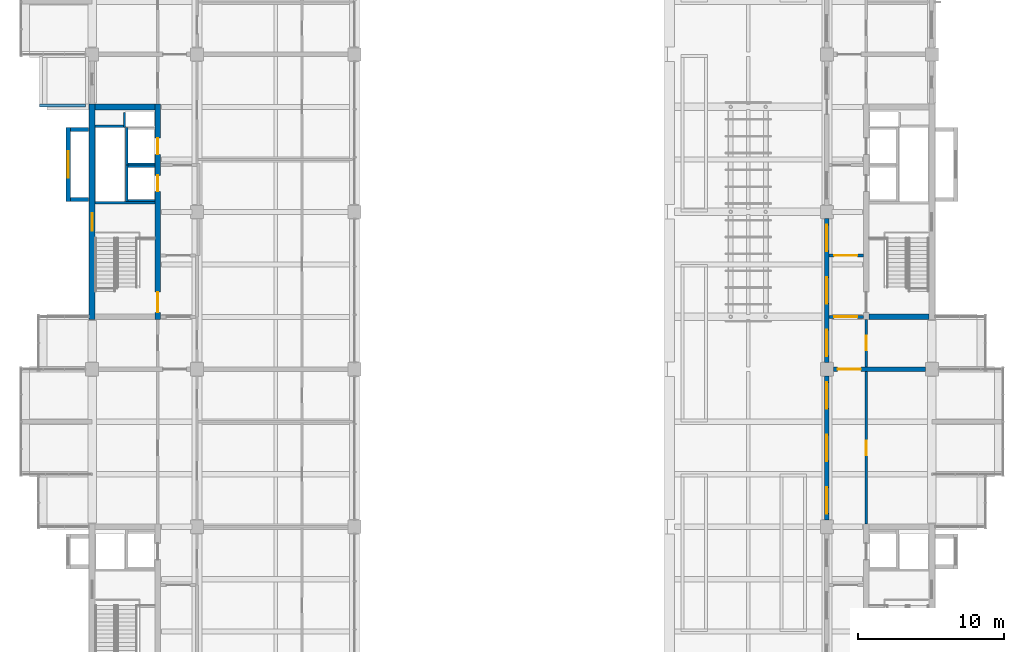
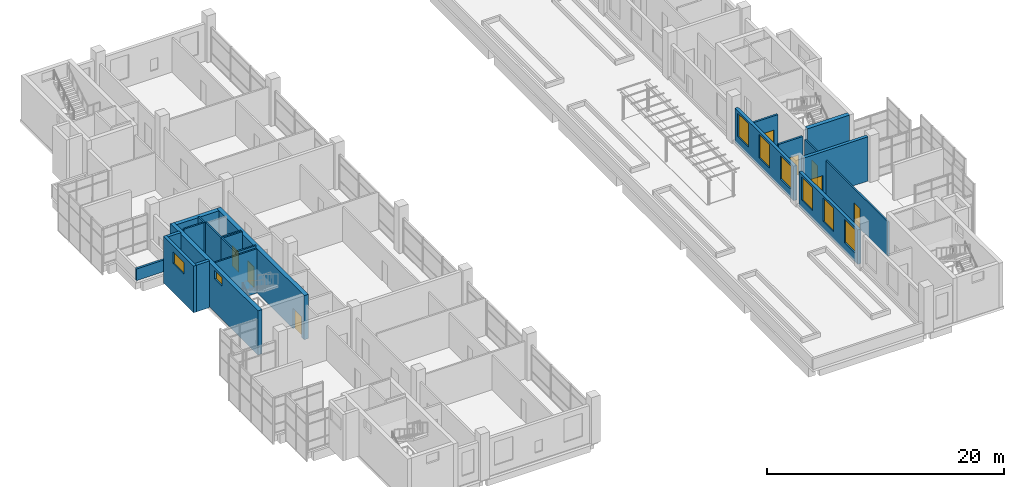
# One storey, part 24 of 32: 23 walls, 8 doors, 8 windows, 16 openings.
"""IFC4 building model written with IfcOpenShell, lengths in metres."""

import ifcopenshell
import ifcopenshell.guid

model = None  # the IFC model being written
_history = None  # IfcOwnerHistory: only IFC2X3 demands one
_inside = {}  # id of a spatial element -> (the spatial element, [elements in it])
_under = {}  # id of a project, library or spatial element -> (it, [spatial elements below it])
_declared = {}  # id of a project -> (the project, [libraries it declares])
_typed = {}  # id of a type object -> (the type object, [elements of that type])
_made_of = {}  # id of a material, layer set ... -> (it, [elements and type objects made of it])


def new_model(schema):
    """Start an empty IFC model of exactly this schema.

    Asked for "IFC4X3", IfcOpenShell would pick the latest addendum, in which some entities
    have other attributes; the version numbers below select the first issue.
    IFC2X3 requires an IfcOwnerHistory on every rooted entity: one is made here for all.
    """
    global model, _history
    if schema == "IFC4X3":
        model = ifcopenshell.file(schema_version=(4, 3, 0, 0))
    else:
        model = ifcopenshell.file(schema=schema)
    _inside.clear()
    _under.clear()
    _declared.clear()
    _typed.clear()
    _made_of.clear()
    _history = None
    if model.schema == "IFC2X3":
        org = make("IfcOrganization", Name="unknown")
        user = make(
            "IfcPersonAndOrganization",
            ThePerson=make("IfcPerson", FamilyName="unknown"),
            TheOrganization=org,
        )
        app = make(
            "IfcApplication",
            ApplicationDeveloper=org,
            Version="unknown",
            ApplicationFullName="unknown",
            ApplicationIdentifier="unknown",
        )
        _history = make(
            "IfcOwnerHistory",
            OwningUser=user,
            OwningApplication=app,
            ChangeAction="ADDED",
            CreationDate=0,
        )
    return model


def make(cls, **values):
    """One entity of the class cls with the attributes given. An attribute that is None is left unset."""
    return model.create_entity(
        cls, **{name: value for name, value in values.items() if value is not None}
    )


def rooted(cls, **values):
    """An entity with a GlobalId (a new one), such as an element, a storey or a relation."""
    return make(cls, GlobalId=ifcopenshell.guid.new(), OwnerHistory=_history, **values)


def si_unit(unit_type, name, prefix=None):
    """IfcSIUnit, for example si_unit("LENGTHUNIT", "METRE", prefix="MILLI")."""
    return make("IfcSIUnit", UnitType=unit_type, Prefix=prefix, Name=name)


def assignment(units):
    """IfcUnitAssignment: the units of a project."""
    return None if units is None else make("IfcUnitAssignment", Units=units)


def point(xyz):
    """IfcCartesianPoint."""
    return None if xyz is None else make("IfcCartesianPoint", Coordinates=xyz)


def direction(xyz):
    """IfcDirection."""
    return None if xyz is None else make("IfcDirection", DirectionRatios=xyz)


def frame(location, z_axis=None, x_axis=None):
    """IfcAxis2Placement3D, a coordinate frame: its origin and axes. An axis left out is left unset."""
    return make(
        "IfcAxis2Placement3D",
        Location=point(location),
        Axis=direction(z_axis),
        RefDirection=direction(x_axis),
    )


def frame_2d(location, x_axis=None):
    """IfcAxis2Placement2D, a coordinate frame in the plane: its origin and x axis."""
    return make(
        "IfcAxis2Placement2D", Location=point(location), RefDirection=direction(x_axis)
    )


def origin():
    """The frame at (0, 0, 0) with its axes left unset."""
    return frame((0.0, 0.0, 0.0))


def place(relative_to, where):
    """IfcLocalPlacement: puts the frame where relative to a parent placement (None: the world)."""
    return make(
        "IfcLocalPlacement", PlacementRelTo=relative_to, RelativePlacement=where
    )


def context(
    kind, dimensions, precision=None, world=None, true_north=None, identifier=None
):
    """IfcGeometricRepresentationContext, for example the 3D "Model" context."""
    return make(
        "IfcGeometricRepresentationContext",
        ContextIdentifier=identifier,
        ContextType=kind,
        CoordinateSpaceDimension=dimensions,
        Precision=precision,
        WorldCoordinateSystem=world,
        TrueNorth=true_north,
    )


def subcontext(parent, identifier, kind, view, scale=None):
    """IfcGeometricRepresentationSubContext, for example "Body" below "Model"."""
    return make(
        "IfcGeometricRepresentationSubContext",
        ContextIdentifier=identifier,
        ContextType=kind,
        ParentContext=parent,
        TargetScale=scale,
        TargetView=view,
    )


def project(units=None, contexts=None):
    """IfcProject with its units and contexts."""
    return rooted(
        "IfcProject",
        Name="project",
        RepresentationContexts=contexts,
        UnitsInContext=assignment(units),
    )


def spatial(cls, under=None, at=None, **own):
    """A site, building, storey or space (cls), placed at a placement, below another one or the project."""
    s = rooted(cls, ObjectPlacement=at, **own)
    if under is not None:
        _under.setdefault(under.id(), (under, []))[1].append(s)
    return s


def profile(cls, at=None, kind="AREA", **sizes):
    """A parametric profile (cls). Its sizes go by their IFC names, for example OverallWidth=200.0."""
    return make(cls, ProfileType=kind, Position=at, **sizes)


def rectangle(**sizes):
    """IfcRectangleProfileDef."""
    return profile("IfcRectangleProfileDef", **sizes)


def extrude(swept, where, along, depth):
    """IfcExtrudedAreaSolid: the profile swept, set in the frame where, extruded along a direction by depth."""
    return make(
        "IfcExtrudedAreaSolid",
        SweptArea=swept,
        Position=where,
        ExtrudedDirection=direction(along),
        Depth=depth,
    )


def shape(context_of_items, identifier, shape_type, items):
    """IfcShapeRepresentation: the items that make up one representation, for example the "Body"."""
    return make(
        "IfcShapeRepresentation",
        ContextOfItems=context_of_items,
        RepresentationIdentifier=identifier,
        RepresentationType=shape_type,
        Items=items,
    )


def material(Name=None, Category=None):
    """IfcMaterial."""
    return make("IfcMaterial", Name=Name, Category=Category)


def layer(
    of_material, thickness, ventilated=None, Name=None, Category=None, Priority=None
):
    """IfcMaterialLayer: one layer of a wall or slab, of a material (None: an air gap)."""
    return make(
        "IfcMaterialLayer",
        Material=of_material,
        LayerThickness=thickness,
        IsVentilated=ventilated,
        Name=Name,
        Category=Category,
        Priority=Priority,
    )


def layer_set(layers, Name=None):
    """IfcMaterialLayerSet."""
    return make("IfcMaterialLayerSet", MaterialLayers=layers, LayerSetName=Name)


def made_of(thing, what):
    """Note that an element or type object is made of a material, layer set ...; save() writes the relation."""
    if what is not None:
        _made_of.setdefault(what.id(), (what, []))[1].append(thing)
    return thing


def type_object(cls, material=None, **own):
    """A type object (cls), such as IfcWallType, which elements share."""
    return made_of(rooted(cls, **own), material)


def element(
    cls,
    number,
    at=None,
    inside=None,
    cuts=None,
    type_object=None,
    material=None,
    context=None,
    identifier="Body",
    shape_type=None,
    held_by="IfcProductDefinitionShape",
    body=None,
    shapes=None,
    **own,
):
    """One element of the class cls, such as IfcWall. Its Tag is "e" and its number.

    at: its placement. inside: the storey or other place that contains it. cuts: it is an
    opening in that element (IfcRelVoidsElement). A single representation is given by context,
    identifier, shape_type and body (its items); several are given by shapes. held_by: the class
    of the entity that holds the representations. save() writes the other relations.
    """
    e = rooted(cls, Tag="e%d" % number, ObjectPlacement=at, **own)
    if body is not None:
        shapes = [shape(context, identifier, shape_type, body)]
    if shapes is not None:
        e.Representation = make(held_by, Representations=shapes)
    if inside is not None:
        _inside.setdefault(inside.id(), (inside, []))[1].append(e)
    if cuts is not None:
        rooted(
            "IfcRelVoidsElement", RelatingBuildingElement=cuts, RelatedOpeningElement=e
        )
    if type_object is not None:
        _typed.setdefault(type_object.id(), (type_object, []))[1].append(e)
    return made_of(e, material)


def fill(opening, filler):
    """IfcRelFillsElement: the door or window that sits in an opening."""
    return rooted(
        "IfcRelFillsElement",
        RelatingOpeningElement=opening,
        RelatedBuildingElement=filler,
    )


def aggregate(whole, parts):
    """IfcRelAggregates: a whole, such as a stair, and the parts it consists of."""
    return rooted("IfcRelAggregates", RelatingObject=whole, RelatedObjects=parts)


def save(model, path):
    """Write the relations noted so far, then the file.

    IfcRelAggregates (storeys below a building ...), IfcRelContainedInSpatialStructure (elements
    in a storey), IfcRelDefinesByType, IfcRelAssociatesMaterial and IfcRelDeclares: one each for
    every whole, place, type object, material and project.
    """
    for whole, parts in _under.values():
        aggregate(whole, parts)
    for where, things in _inside.values():
        rooted(
            "IfcRelContainedInSpatialStructure",
            RelatedElements=things,
            RelatingStructure=where,
        )
    for kind, things in _typed.values():
        rooted("IfcRelDefinesByType", RelatedObjects=things, RelatingType=kind)
    for what, things in _made_of.values():
        rooted("IfcRelAssociatesMaterial", RelatedObjects=things, RelatingMaterial=what)
    for by, libraries in _declared.values():
        rooted("IfcRelDeclares", RelatingContext=by, RelatedDefinitions=libraries)
    model.write(path)


model = new_model("IFC4")

# Units and contexts
model_context = context("Model", 3, precision=1e-05, world=origin(), true_north=direction((0.0, 1.0)))
body_context = subcontext(model_context, "Body", "Model", "MODEL_VIEW")
ifc_project = project(units=[si_unit("LENGTHUNIT", "METRE"), si_unit("AREAUNIT", "SQUARE_METRE"), si_unit("VOLUMEUNIT", "CUBIC_METRE"), si_unit("PLANEANGLEUNIT", "RADIAN"), si_unit("MASSUNIT", "GRAM", prefix="KILO")], contexts=[model_context])

# Site, building, storey
site_placement = place(None, origin())
site = spatial("IfcSite", under=ifc_project, at=site_placement, CompositionType="ELEMENT")
building_placement = place(site_placement, origin())
building = spatial("IfcBuilding", under=site, at=building_placement, Name="Basin Gate Institute", CompositionType="ELEMENT")
storey_placement = place(building_placement, frame((0.0, 0.0, 41.39990234375)))
storey = spatial("IfcBuildingStorey", under=building, at=storey_placement, Name="L08", CompositionType="ELEMENT", Elevation=41.39990234375)

# Wall, opening, door
ifc_material_1 = material(Name="Fire-rated masonry", Category="masonry")
ifc_layer_1 = layer(ifc_material_1, 0.199951171875)
ifc_layer_set_1 = layer_set([ifc_layer_1], Name="Enclosure wall PW2 200 EI 60")
wall_type_1 = type_object("IfcWallType", Name="Enclosure wall PW2 200 EI 60", PredefinedType="PARTITIONING", material=ifc_layer_set_1)
wall_1_placement = place(storey_placement, frame((114.10009765625, 60.300048828125, 0.0), z_axis=(0.0, 0.0, 1.0), x_axis=(-1.0, 0.0, 0.0)))
wall_1 = element("IfcWall", 1, at=wall_1_placement, inside=storey, type_object=wall_type_1, material=ifc_layer_set_1, Name="Smoke lobby enclosure wall PW2 L08", PredefinedType="PARTITIONING", context=body_context, shape_type="SweptSolid", body=[
    extrude(rectangle(XDim=2.35009765625, YDim=0.199951171875, at=frame_2d((1.175048828125, 0.0))), origin(), (0.0, 0.0, 1.0), 3.85009765625),
])
opening_1_placement = place(wall_1_placement, frame((0.39990234375, 0.0, 0.0)))
opening_1 = element("IfcOpeningElement", 2, at=opening_1_placement, cuts=wall_1, Name="Opening DR376", PredefinedType="OPENING", context=body_context, shape_type="SweptSolid", body=[
    extrude(rectangle(XDim=1.60009765625, YDim=2.10009765625, at=frame_2d((0.800048828125, 1.050048828125))), frame((0.0, 0.10986328125, 0.0), z_axis=(0.0, -1.0, 0.0), x_axis=(1.0, 0.0, 0.0)), (0.0, 0.0, 1.0), 0.219970703125),
])
ifc_material_2 = material(Name="Steel fire door", Category="steel")
door_type_1 = type_object("IfcDoorType", Name="FD60 Smoke lobby door pair D8", OperationType="DOUBLE_DOOR_SINGLE_SWING", PredefinedType="DOOR", material=ifc_material_2)
door_1_placement = place(opening_1_placement, frame((1.60009765625, 0.0, 0.0), z_axis=(0.0, 0.0, 1.0), x_axis=(-1.0, 0.0, 0.0)))
door_1 = element("IfcDoor", 3, at=door_1_placement, inside=storey, type_object=door_type_1, material=ifc_material_2, Name="Smoke lobby door SS5 L08", OperationType="DOUBLE_DOOR_SINGLE_SWING", OverallHeight=2.10009765625, OverallWidth=1.60009765625, PredefinedType="DOOR", context=body_context, shape_type="SweptSolid", body=[
    extrude(rectangle(XDim=1.60009765625, YDim=2.10009765625, at=frame_2d((0.800048828125, 1.050048828125))), frame((0.0, 0.02490234375, 0.0), z_axis=(0.0, -1.0, 0.0), x_axis=(1.0, 0.0, 0.0)), (0.0, 0.0, 1.0), 0.050048828125),
])
fill(opening_1, door_1)

wall_2_placement = place(storey_placement, frame((114.10009765625, 64.5, 0.0), z_axis=(0.0, 0.0, 1.0), x_axis=(-1.0, 0.0, 0.0)))
wall_2 = element("IfcWall", 4, at=wall_2_placement, inside=storey, type_object=wall_type_1, material=ifc_layer_set_1, Name="Smoke lobby enclosure wall PW2 L08", PredefinedType="PARTITIONING", context=body_context, shape_type="SweptSolid", body=[
    extrude(rectangle(XDim=2.35009765625, YDim=0.199951171875, at=frame_2d((1.175048828125, 0.0))), origin(), (0.0, 0.0, 1.0), 3.550048828125),
])
opening_2_placement = place(wall_2_placement, frame((0.39990234375, 0.0, 0.0)))
opening_2 = element("IfcOpeningElement", 5, at=opening_2_placement, cuts=wall_2, Name="Opening DR377", PredefinedType="OPENING", context=body_context, shape_type="SweptSolid", body=[
    extrude(rectangle(XDim=1.60009765625, YDim=2.10009765625, at=frame_2d((0.800048828125, 1.050048828125))), frame((0.0, 0.10986328125, 0.0), z_axis=(0.0, -1.0, 0.0), x_axis=(1.0, 0.0, 0.0)), (0.0, 0.0, 1.0), 0.219970703125),
])
door_2_placement = place(opening_2_placement, origin())
door_2 = element("IfcDoor", 6, at=door_2_placement, inside=storey, type_object=door_type_1, material=ifc_material_2, Name="Smoke lobby door SS5 L08", OperationType="DOUBLE_DOOR_SINGLE_SWING", OverallHeight=2.10009765625, OverallWidth=1.60009765625, PredefinedType="DOOR", context=body_context, shape_type="SweptSolid", body=[
    extrude(rectangle(XDim=1.60009765625, YDim=2.10009765625, at=frame_2d((0.800048828125, 1.050048828125))), frame((0.0, 0.02490234375, 0.0), z_axis=(0.0, -1.0, 0.0), x_axis=(1.0, 0.0, 0.0)), (0.0, 0.0, 1.0), 0.050048828125),
])
fill(opening_2, door_2)

# Wall, openings, windows
ifc_material_3 = material(Name="Aluminium-faced insulated panel wall", Category="aluminium")
ifc_layer_2 = layer(ifc_material_3, 0.300048828125)
ifc_layer_set_2 = layer_set([ifc_layer_2], Name="External wall EW1 EI 120")
wall_type_2 = type_object("IfcWallType", Name="External wall EW1 EI 120", PredefinedType="STANDARD", material=ifc_layer_set_2)
wall_3_placement = place(storey_placement, frame((111.60009765625, 46.35009765625, 0.0), z_axis=(0.0, 0.0, 1.0), x_axis=(0.0, 1.0, 0.0)))
wall_3 = element("IfcWall", 7, at=wall_3_placement, inside=storey, type_object=wall_type_2, material=ifc_layer_set_2, Name="External wall E step face L08 bay 2", PredefinedType="STANDARD", context=body_context, shape_type="SweptSolid", body=[
    extrude(rectangle(XDim=9.89990234375, YDim=0.300048828125, at=frame_2d((4.949951171875, 0.0))), origin(), (0.0, 0.0, 1.0), 3.550048828125),
])
opening_3_placement = place(wall_3_placement, frame((0.449951171875, 0.0, 0.89990234375)))
opening_3 = element("IfcOpeningElement", 8, at=opening_3_placement, cuts=wall_3, Name="Opening WN1", PredefinedType="OPENING", context=body_context, shape_type="SweptSolid", body=[
    extrude(rectangle(XDim=1.800048828125, YDim=2.39990234375, at=frame_2d((0.89990234375, 1.199951171875))), frame((0.0, 0.16015625, 0.0), z_axis=(0.0, -1.0, 0.0), x_axis=(1.0, 0.0, 0.0)), (0.0, 0.0, 1.0), 0.320068359375),
])
opening_4_placement = place(wall_3_placement, frame((4.050048828125, 0.0, 0.89990234375)))
opening_4 = element("IfcOpeningElement", 9, at=opening_4_placement, cuts=wall_3, Name="Opening WV1", PredefinedType="OPENING", context=body_context, shape_type="SweptSolid", body=[
    extrude(rectangle(XDim=1.800048828125, YDim=2.39990234375, at=frame_2d((0.89990234375, 1.199951171875))), frame((0.0, 0.16015625, 0.0), z_axis=(0.0, -1.0, 0.0), x_axis=(1.0, 0.0, 0.0)), (0.0, 0.0, 1.0), 0.320068359375),
])
opening_5_placement = place(wall_3_placement, frame((7.64990234375, 0.0, 0.89990234375)))
opening_5 = element("IfcOpeningElement", 10, at=opening_5_placement, cuts=wall_3, Name="Opening WN1", PredefinedType="OPENING", context=body_context, shape_type="SweptSolid", body=[
    extrude(rectangle(XDim=1.800048828125, YDim=2.39990234375, at=frame_2d((0.89990234375, 1.199951171875))), frame((0.0, 0.16015625, 0.0), z_axis=(0.0, -1.0, 0.0), x_axis=(1.0, 0.0, 0.0)), (0.0, 0.0, 1.0), 0.320068359375),
])
ifc_material_4 = material(Name="Aluminium-framed double glazing", Category="aluminium")
window_type_1 = type_object("IfcWindowType", Name="Facade window WN1", PartitioningType="SINGLE_PANEL", PredefinedType="WINDOW", material=ifc_material_4)
window_1_placement = place(opening_3_placement, origin())
window_1 = element("IfcWindow", 11, at=window_1_placement, inside=storey, type_object=window_type_1, material=ifc_material_4, Name="Facade window E step face L08 bay 2.1", OverallHeight=2.39990234375, OverallWidth=1.800048828125, PartitioningType="SINGLE_PANEL", PredefinedType="WINDOW", context=body_context, shape_type="SweptSolid", body=[
    extrude(rectangle(XDim=1.800048828125, YDim=2.39990234375, at=frame_2d((0.89990234375, 1.199951171875))), frame((0.0, 0.030029296875, 0.0), z_axis=(0.0, -1.0, 0.0), x_axis=(1.0, 0.0, 0.0)), (0.0, 0.0, 1.0), 0.06005859375),
])
fill(opening_3, window_1)
window_2_placement = place(opening_5_placement, origin())
window_2 = element("IfcWindow", 12, at=window_2_placement, inside=storey, type_object=window_type_1, material=ifc_material_4, Name="Facade window E step face L08 bay 2.3", OverallHeight=2.39990234375, OverallWidth=1.800048828125, PartitioningType="SINGLE_PANEL", PredefinedType="WINDOW", context=body_context, shape_type="SweptSolid", body=[
    extrude(rectangle(XDim=1.800048828125, YDim=2.39990234375, at=frame_2d((0.89990234375, 1.199951171875))), frame((0.0, 0.030029296875, 0.0), z_axis=(0.0, -1.0, 0.0), x_axis=(1.0, 0.0, 0.0)), (0.0, 0.0, 1.0), 0.06005859375),
])
fill(opening_5, window_2)
ifc_material_5 = material(Name="Aluminium louvre blades", Category="aluminium")
window_type_2 = type_object("IfcWindowType", Name="Services louvre panel WV1", PartitioningType="SINGLE_PANEL", PredefinedType="WINDOW", material=ifc_material_5)
window_3_placement = place(opening_4_placement, origin())
window_3 = element("IfcWindow", 13, at=window_3_placement, inside=storey, type_object=window_type_2, material=ifc_material_5, Name="Services louvre panel E step face L08 bay 2.2", OverallHeight=2.39990234375, OverallWidth=1.800048828125, PartitioningType="SINGLE_PANEL", PredefinedType="WINDOW", context=body_context, shape_type="SweptSolid", body=[
    extrude(rectangle(XDim=1.800048828125, YDim=2.39990234375, at=frame_2d((0.89990234375, 1.199951171875))), frame((0.0, 0.030029296875, 0.0), z_axis=(0.0, -1.0, 0.0), x_axis=(1.0, 0.0, 0.0)), (0.0, 0.0, 1.0), 0.06005859375),
])
fill(opening_4, window_3)

ifc_material_6 = material(Name="Aluminium-faced insulated panel wall", Category="aluminium")
ifc_layer_3 = layer(ifc_material_6, 0.300048828125)
ifc_layer_set_3 = layer_set([ifc_layer_3], Name="External wall EW5 EI 60")
wall_type_3 = type_object("IfcWallType", Name="External wall EW5 EI 60", PredefinedType="STANDARD", material=ifc_layer_set_3)
wall_4_placement = place(storey_placement, frame((111.60009765625, 57.14990234375, 0.0), z_axis=(0.0, 0.0, 1.0), x_axis=(0.0, 1.0, 0.0)))
wall_4 = element("IfcWall", 14, at=wall_4_placement, inside=storey, type_object=wall_type_3, material=ifc_layer_set_3, Name="External wall E step face L08 bay 3", PredefinedType="STANDARD", context=body_context, shape_type="SweptSolid", body=[
    extrude(rectangle(XDim=9.900146484375, YDim=0.300048828125, at=frame_2d((4.9501953125, 0.0))), origin(), (0.0, 0.0, 1.0), 3.550048828125),
])
opening_6_placement = place(wall_4_placement, frame((0.449951171875, 0.0, 0.89990234375)))
opening_6 = element("IfcOpeningElement", 15, at=opening_6_placement, cuts=wall_4, Name="Opening WN6", PredefinedType="OPENING", context=body_context, shape_type="SweptSolid", body=[
    extrude(rectangle(XDim=1.800048828125, YDim=2.39990234375, at=frame_2d((0.89990234375, 1.199951171875))), frame((0.0, 0.16015625, 0.0), z_axis=(0.0, -1.0, 0.0), x_axis=(1.0, 0.0, 0.0)), (0.0, 0.0, 1.0), 0.320068359375),
])
opening_7_placement = place(wall_4_placement, frame((4.050048828125, 0.0, 0.89990234375)))
opening_7 = element("IfcOpeningElement", 16, at=opening_7_placement, cuts=wall_4, Name="Opening WN6", PredefinedType="OPENING", context=body_context, shape_type="SweptSolid", body=[
    extrude(rectangle(XDim=1.800048828125, YDim=2.39990234375, at=frame_2d((0.89990234375, 1.199951171875))), frame((0.0, 0.16015625, 0.0), z_axis=(0.0, -1.0, 0.0), x_axis=(1.0, 0.0, 0.0)), (0.0, 0.0, 1.0), 0.320068359375),
])
opening_8_placement = place(wall_4_placement, frame((7.64990234375, 0.0, 0.89990234375)))
opening_8 = element("IfcOpeningElement", 17, at=opening_8_placement, cuts=wall_4, Name="Opening WN6", PredefinedType="OPENING", context=body_context, shape_type="SweptSolid", body=[
    extrude(rectangle(XDim=1.800048828125, YDim=2.39990234375, at=frame_2d((0.89990234375, 1.199951171875))), frame((0.0, 0.16015625, 0.0), z_axis=(0.0, -1.0, 0.0), x_axis=(1.0, 0.0, 0.0)), (0.0, 0.0, 1.0), 0.320068359375),
])
ifc_material_7 = material(Name="Fire-resistant glazing in steel-free frame", Category="steel")
window_type_3 = type_object("IfcWindowType", Name="Fire-rated fixed step window WN6", PartitioningType="SINGLE_PANEL", PredefinedType="WINDOW", material=ifc_material_7)
window_4_placement = place(opening_6_placement, origin())
window_4 = element("IfcWindow", 18, at=window_4_placement, inside=storey, type_object=window_type_3, material=ifc_material_7, Name="Fire-rated fixed step window E step face L08 bay 3.1", OverallHeight=2.39990234375, OverallWidth=1.800048828125, PartitioningType="SINGLE_PANEL", PredefinedType="WINDOW", context=body_context, shape_type="SweptSolid", body=[
    extrude(rectangle(XDim=1.800048828125, YDim=2.39990234375, at=frame_2d((0.89990234375, 1.199951171875))), frame((0.0, 0.030029296875, 0.0), z_axis=(0.0, -1.0, 0.0), x_axis=(1.0, 0.0, 0.0)), (0.0, 0.0, 1.0), 0.06005859375),
])
fill(opening_6, window_4)
window_5_placement = place(opening_7_placement, origin())
window_5 = element("IfcWindow", 19, at=window_5_placement, inside=storey, type_object=window_type_3, material=ifc_material_7, Name="Fire-rated fixed step window E step face L08 bay 3.2", OverallHeight=2.39990234375, OverallWidth=1.800048828125, PartitioningType="SINGLE_PANEL", PredefinedType="WINDOW", context=body_context, shape_type="SweptSolid", body=[
    extrude(rectangle(XDim=1.800048828125, YDim=2.39990234375, at=frame_2d((0.89990234375, 1.199951171875))), frame((0.0, 0.030029296875, 0.0), z_axis=(0.0, -1.0, 0.0), x_axis=(1.0, 0.0, 0.0)), (0.0, 0.0, 1.0), 0.06005859375),
])
fill(opening_7, window_5)
window_6_placement = place(opening_8_placement, origin())
window_6 = element("IfcWindow", 20, at=window_6_placement, inside=storey, type_object=window_type_3, material=ifc_material_7, Name="Fire-rated fixed step window E step face L08 bay 3.3", OverallHeight=2.39990234375, OverallWidth=1.800048828125, PartitioningType="SINGLE_PANEL", PredefinedType="WINDOW", context=body_context, shape_type="SweptSolid", body=[
    extrude(rectangle(XDim=1.800048828125, YDim=2.39990234375, at=frame_2d((0.89990234375, 1.199951171875))), frame((0.0, 0.030029296875, 0.0), z_axis=(0.0, -1.0, 0.0), x_axis=(1.0, 0.0, 0.0)), (0.0, 0.0, 1.0), 0.06005859375),
])
fill(opening_8, window_6)

# Wall
ifc_material_8 = material(Name="Concrete 40 MPa", Category="concrete")
ifc_layer_4 = layer(ifc_material_8, 0.199951171875)
ifc_layer_set_4 = layer_set([ifc_layer_4], Name="Concrete 40 MPa")
wall_type_4 = type_object("IfcWallType", Name="Parapet wall PA1", PredefinedType="PARAPET", material=ifc_layer_set_4)
wall_5_placement = place(storey_placement, frame((60.75, 74.800048828125, 0.0), z_axis=(0.0, 0.0, 1.0), x_axis=(-1.0, 0.0, 0.0)))
element("IfcWall", 21, at=wall_5_placement, inside=storey, type_object=wall_type_4, material=ifc_layer_set_4, Name="Parapet wall PA1 L08 W2", PredefinedType="PARAPET", context=body_context, shape_type="SweptSolid", body=[
    extrude(rectangle(XDim=3.14990234375, YDim=0.199951171875, at=frame_2d((1.574951171875, 0.0))), origin(), (0.0, 0.0, 1.0), 1.2001953125),
])

# Wall, opening, door
ifc_material_9 = material(Name="Gypsum board on steel stud", Category="steel")
ifc_layer_5 = layer(ifc_material_9, 0.14990234375)
ifc_layer_set_5 = layer_set([ifc_layer_5], Name="Gypsum board on steel stud")
wall_type_5 = type_object("IfcWallType", Name="Partition PW1 150 EI 60", PredefinedType="PARTITIONING", material=ifc_layer_set_5)
wall_6_placement = place(storey_placement, frame((114.300048828125, 46.10009765625, 0.0), z_axis=(0.0, 0.0, 1.0), x_axis=(0.0, 1.0, 0.0)))
wall_6 = element("IfcWall", 22, at=wall_6_placement, inside=storey, type_object=wall_type_5, material=ifc_layer_set_5, Name="Corridor wall PW1 L08", PredefinedType="PARTITIONING", context=body_context, shape_type="SweptSolid", body=[
    extrude(rectangle(XDim=10.449951171875, YDim=0.14990234375, at=frame_2d((5.22509765625, 0.0))), origin(), (0.0, 0.0, 1.0), 3.550048828125),
])
opening_9_placement = place(wall_6_placement, frame((4.699951171875, 0.0, 0.0)))
opening_9 = element("IfcOpeningElement", 23, at=opening_9_placement, cuts=wall_6, Name="Opening DR369", PredefinedType="OPENING", context=body_context, shape_type="SweptSolid", body=[
    extrude(rectangle(XDim=1.0, YDim=2.10009765625, at=frame_2d((0.5, 1.050048828125))), frame((0.0, 0.0849609375, 0.0), z_axis=(0.0, -1.0, 0.0), x_axis=(1.0, 0.0, 0.0)), (0.0, 0.0, 1.0), 0.169921875),
])
ifc_material_10 = material(Name="Timber fire door", Category="wood")
door_type_2 = type_object("IfcDoorType", Name="FD30 Office door D1", OperationType="NOTDEFINED", PredefinedType="DOOR", material=ifc_material_10)
door_3_placement = place(opening_9_placement, frame((1.0, 0.0, 0.0), z_axis=(0.0, 0.0, 1.0), x_axis=(-1.0, 0.0, 0.0)))
door_3 = element("IfcDoor", 24, at=door_3_placement, inside=storey, type_object=door_type_2, material=ifc_material_10, Name="Door to Library Carrel Room 0851 L08", OperationType="SINGLE_SWING_RIGHT", OverallHeight=2.10009765625, OverallWidth=1.0, PredefinedType="DOOR", context=body_context, shape_type="SweptSolid", body=[
    extrude(rectangle(XDim=1.0, YDim=2.10009765625, at=frame_2d((0.5, 1.050048828125))), frame((0.0, 0.02490234375, 0.0), z_axis=(0.0, -1.0, 0.0), x_axis=(1.0, 0.0, 0.0)), (0.0, 0.0, 1.0), 0.050048828125),
])
fill(opening_9, door_3)

wall_7_placement = place(storey_placement, frame((114.300048828125, 56.85009765625, 0.0), z_axis=(0.0, 0.0, 1.0), x_axis=(0.0, 1.0, 0.0)))
wall_7 = element("IfcWall", 25, at=wall_7_placement, inside=storey, type_object=wall_type_5, material=ifc_layer_set_5, Name="Corridor wall PW1 L08", PredefinedType="PARTITIONING", context=body_context, shape_type="SweptSolid", body=[
    extrude(rectangle(XDim=3.25, YDim=0.14990234375, at=frame_2d((1.625, 0.0))), origin(), (0.0, 0.0, 1.0), 3.550048828125),
])
opening_10_placement = place(wall_7_placement, frame((1.14990234375, 0.0, 0.0)))
opening_10 = element("IfcOpeningElement", 26, at=opening_10_placement, cuts=wall_7, Name="Opening DR371", PredefinedType="OPENING", context=body_context, shape_type="SweptSolid", body=[
    extrude(rectangle(XDim=1.0, YDim=2.10009765625, at=frame_2d((0.5, 1.050048828125))), frame((0.0, 0.0849609375, 0.0), z_axis=(0.0, -1.0, 0.0), x_axis=(1.0, 0.0, 0.0)), (0.0, 0.0, 1.0), 0.169921875),
])
door_4_placement = place(opening_10_placement, frame((1.0, 0.0, 0.0), z_axis=(0.0, 0.0, 1.0), x_axis=(-1.0, 0.0, 0.0)))
door_4 = element("IfcDoor", 27, at=door_4_placement, inside=storey, type_object=door_type_2, material=ifc_material_10, Name="Door to Seminar Room 0852 L08", OperationType="SINGLE_SWING_LEFT", OverallHeight=2.10009765625, OverallWidth=1.0, PredefinedType="DOOR", context=body_context, shape_type="SweptSolid", body=[
    extrude(rectangle(XDim=1.0, YDim=2.10009765625, at=frame_2d((0.5, 1.050048828125))), frame((0.0, 0.02490234375, 0.0), z_axis=(0.0, -1.0, 0.0), x_axis=(1.0, 0.0, 0.0)), (0.0, 0.0, 1.0), 0.050048828125),
])
fill(opening_10, door_4)

# Walls
ifc_material_11 = material(Name="Concrete 40 MPa", Category="concrete")
ifc_layer_6 = layer(ifc_material_11, 0.14990234375)
ifc_layer_set_6 = layer_set([ifc_layer_6], Name="Concrete 40 MPa")
wall_type_6 = type_object("IfcWallType", Name="Wall LS1 lift shaft enclosure R120", PredefinedType="SOLIDWALL", material=ifc_layer_set_6)
wall_8_placement = place(storey_placement, frame((63.574951171875, 68.199951171875, 0.0), z_axis=(0.0, 0.0, 1.0), x_axis=(0.0, 1.0, 0.0)))
element("IfcWall", 28, at=wall_8_placement, inside=storey, type_object=wall_type_6, material=ifc_layer_set_6, Name="Lift shaft enclosure LF1 L08 UL", PredefinedType="SOLIDWALL", context=body_context, shape_type="SweptSolid", body=[
    extrude(rectangle(XDim=2.5, YDim=0.14990234375, at=frame_2d((1.25, 0.0))), origin(), (0.0, 0.0, 1.0), 4.800048828125),
])
for number, where, z_axis, x_axis, name in (
    (29, (63.64990234375, 68.27490234375, 0.0), (0.0, 0.0, 1.0), (1.0, 0.0, 0.0), "Lift shaft enclosure LF1 L08 RL"),
    (30, (63.64990234375, 70.625, 0.0), (0.0, 0.0, 1.0), (1.0, 0.0, 0.0), "Lift shaft enclosure LF1 L08 RH"),
):
    element("IfcWall", number, at=place(storey_placement, frame(where, z_axis=z_axis, x_axis=x_axis)), inside=storey, type_object=wall_type_6, material=ifc_layer_set_6, Name=name, PredefinedType="SOLIDWALL", context=body_context, shape_type="SweptSolid", body=[
        extrude(rectangle(XDim=1.85009765625, YDim=0.14990234375, at=frame_2d((0.925048828125, 0.0))), origin(), (0.0, 0.0, 1.0), 4.800048828125),
    ])
wall_9_placement = place(storey_placement, frame((63.574951171875, 70.699951171875, 0.0), z_axis=(0.0, 0.0, 1.0), x_axis=(0.0, 1.0, 0.0)))
element("IfcWall", 31, at=wall_9_placement, inside=storey, type_object=wall_type_6, material=ifc_layer_set_6, Name="Lift shaft enclosure LP2 L08 UL", PredefinedType="SOLIDWALL", context=body_context, shape_type="SweptSolid", body=[
    extrude(rectangle(XDim=2.60009765625, YDim=0.14990234375, at=frame_2d((1.300048828125, 0.0))), origin(), (0.0, 0.0, 1.0), 4.800048828125),
])
wall_10_placement = place(storey_placement, frame((63.64990234375, 70.77490234375, 0.0), z_axis=(0.0, 0.0, 1.0), x_axis=(1.0, 0.0, 0.0)))
element("IfcWall", 32, at=wall_10_placement, inside=storey, type_object=wall_type_6, material=ifc_layer_set_6, Name="Lift shaft enclosure LP2 L08 RL", PredefinedType="SOLIDWALL", context=body_context, shape_type="SweptSolid", body=[
    extrude(rectangle(XDim=1.85009765625, YDim=0.14990234375, at=frame_2d((0.925048828125, 0.0))), origin(), (0.0, 0.0, 1.0), 4.800048828125),
])
ifc_material_12 = material(Name="Concrete 40 MPa", Category="concrete")
ifc_layer_7 = layer(ifc_material_12, 0.14990234375)
ifc_layer_set_7 = layer_set([ifc_layer_7], Name="Concrete 40 MPa")
wall_type_7 = type_object("IfcWallType", Name="Wall RS1 riser shaft enclosure R120", PredefinedType="SOLIDWALL", material=ifc_layer_set_7)
wall_11_placement = place(storey_placement, frame((61.39990234375, 73.375, 0.0), z_axis=(0.0, 0.0, 1.0), x_axis=(1.0, 0.0, 0.0)))
element("IfcWall", 33, at=wall_11_placement, inside=storey, type_object=wall_type_7, material=ifc_layer_set_7, Name="Riser shaft enclosure WM L08 N", PredefinedType="SOLIDWALL", context=body_context, shape_type="SweptSolid", body=[
    extrude(rectangle(XDim=1.9501953125, YDim=0.14990234375, at=frame_2d((0.97509765625, 0.0))), origin(), (0.0, 0.0, 1.0), 4.800048828125),
])
wall_12_placement = place(storey_placement, frame((63.425048828125, 73.300048828125, 0.0), z_axis=(0.0, 0.0, 1.0), x_axis=(0.0, 1.0, 0.0)))
element("IfcWall", 34, at=wall_12_placement, inside=storey, type_object=wall_type_7, material=ifc_layer_set_7, Name="Riser shaft enclosure WM L08 W", PredefinedType="SOLIDWALL", context=body_context, shape_type="SweptSolid", body=[
    extrude(rectangle(XDim=1.0, YDim=0.14990234375, at=frame_2d((0.5, 0.0))), origin(), (0.0, 0.0, 1.0), 4.800048828125),
])
ifc_material_13 = material(Name="Concrete 40 MPa", Category="concrete")
ifc_layer_8 = layer(ifc_material_13, 0.14990234375)
ifc_layer_set_8 = layer_set([ifc_layer_8], Name="Concrete 40 MPa")
wall_type_8 = type_object("IfcWallType", Name="Wall SE1 stair enclosure R120", PredefinedType="SOLIDWALL", material=ifc_layer_set_8)
wall_13_placement = place(storey_placement, frame((61.39990234375, 68.125, 0.0), z_axis=(0.0, 0.0, 1.0), x_axis=(1.0, 0.0, 0.0)))
element("IfcWall", 35, at=wall_13_placement, inside=storey, type_object=wall_type_8, material=ifc_layer_set_8, Name="Stair enclosure wall ST-WM L08", PredefinedType="SOLIDWALL", context=body_context, shape_type="SweptSolid", body=[
    extrude(rectangle(XDim=4.10009765625, YDim=0.14990234375, at=frame_2d((2.050048828125, 0.0))), origin(), (0.0, 0.0, 1.0), 4.550048828125),
])

# Wall, opening, window
ifc_material_14 = material(Name="Concrete 50 MPa", Category="concrete")
ifc_layer_9 = layer(ifc_material_14, 0.300048828125)
ifc_layer_set_9 = layer_set([ifc_layer_9], Name="Concrete 50 MPa")
wall_type_9 = type_object("IfcWallType", Name="Wall SK1 R120", PredefinedType="SHEAR", material=ifc_layer_set_9)
wall_14_placement = place(storey_placement, frame((59.550048828125, 68.199951171875, 0.0), z_axis=(0.0, 0.0, 1.0), x_axis=(0.0, 1.0, 0.0)))
wall_14 = element("IfcWall", 36, at=wall_14_placement, inside=storey, type_object=wall_type_9, material=ifc_layer_set_9, Name="Spine riser stack wall SK1 WM F L08", PredefinedType="SHEAR", context=body_context, shape_type="SweptSolid", body=[
    extrude(rectangle(XDim=5.10009765625, YDim=0.300048828125, at=frame_2d((2.550048828125, 0.0))), origin(), (0.0, 0.0, 1.0), 4.800048828125),
])
opening_11_placement = place(wall_14_placement, frame((1.64990234375, 0.0, 3.0)))
opening_11 = element("IfcOpeningElement", 37, at=opening_11_placement, cuts=wall_14, Name="Opening WL2", PredefinedType="OPENING", context=body_context, shape_type="SweptSolid", body=[
    extrude(rectangle(XDim=1.800048828125, YDim=1.199951171875, at=frame_2d((0.89990234375, 0.60009765625))), frame((0.0, 0.16015625, 0.0), z_axis=(0.0, -1.0, 0.0), x_axis=(1.0, 0.0, 0.0)), (0.0, 0.0, 1.0), 0.320068359375),
])
ifc_material_15 = material(Name="Aluminium louvre blades with fire damper", Category="aluminium")
window_type_4 = type_object("IfcWindowType", Name="Riser louvre EI 120 WL2", PartitioningType="SINGLE_PANEL", PredefinedType="WINDOW", material=ifc_material_15)
window_7_placement = place(opening_11_placement, origin())
window_7 = element("IfcWindow", 38, at=window_7_placement, inside=storey, type_object=window_type_4, material=ifc_material_15, Name="Riser louvre EI 120 WM riser 1 L08", OverallHeight=1.199951171875, OverallWidth=1.800048828125, PartitioningType="SINGLE_PANEL", PredefinedType="WINDOW", context=body_context, shape_type="SweptSolid", body=[
    extrude(rectangle(XDim=1.800048828125, YDim=1.199951171875, at=frame_2d((0.89990234375, 0.60009765625))), frame((0.0, 0.030029296875, 0.0), z_axis=(0.0, -1.0, 0.0), x_axis=(1.0, 0.0, 0.0)), (0.0, 0.0, 1.0), 0.06005859375),
])
fill(opening_11, window_7)

# Walls
for number, where, z_axis, x_axis, name in (
    (39, (60.949951171875, 68.35009765625, 0.0), (0.0, 0.0, 1.0), (-1.0, 0.0, 0.0), "Spine riser stack wall SK1 WM A L08"),
    (40, (60.949951171875, 73.14990234375, 0.0), (0.0, 0.0, 1.0), (-1.0, 0.0, 0.0), "Spine riser stack wall SK1 WM B L08"),
):
    element("IfcWall", number, at=place(storey_placement, frame(where, z_axis=z_axis, x_axis=x_axis)), inside=storey, type_object=wall_type_9, material=ifc_layer_set_9, Name=name, PredefinedType="SHEAR", context=body_context, shape_type="SweptSolid", body=[
        extrude(rectangle(XDim=1.25, YDim=0.300048828125, at=frame_2d((0.625, 0.0))), origin(), (0.0, 0.0, 1.0), 4.800048828125),
    ])

# Wall, opening, window
ifc_material_16 = material(Name="Concrete 50 MPa", Category="concrete")
ifc_layer_10 = layer(ifc_material_16, 0.39990234375)
ifc_layer_set_10 = layer_set([ifc_layer_10], Name="Concrete 50 MPa")
wall_type_10 = type_object("IfcWallType", Name="Wall SW2 R120", PredefinedType="SHEAR", material=ifc_layer_set_10)
wall_15_placement = place(storey_placement, frame((61.199951171875, 60.10009765625, 0.0), z_axis=(0.0, 0.0, 1.0), x_axis=(0.0, 1.0, 0.0)))
wall_15 = element("IfcWall", 41, at=wall_15_placement, inside=storey, type_object=wall_type_10, material=ifc_layer_set_10, Name="WALL/L08/WM/L", PredefinedType="SHEAR", context=body_context, shape_type="SweptSolid", body=[
    extrude(rectangle(XDim=14.7998046875, YDim=0.39990234375, at=frame_2d((7.39990234375, 0.0))), origin(), (0.0, 0.0, 1.0), 4.550048828125),
])
opening_12_placement = place(wall_15_placement, frame((6.110107421875, 0.0, 3.39990234375)))
opening_12 = element("IfcOpeningElement", 42, at=opening_12_placement, cuts=wall_15, Name="Opening WT2", PredefinedType="OPENING", context=body_context, shape_type="SweptSolid", body=[
    extrude(rectangle(XDim=1.199951171875, YDim=0.89990234375, at=frame_2d((0.60009765625, 0.449951171875))), frame((0.0, 0.2099609375, 0.0), z_axis=(0.0, -1.0, 0.0), x_axis=(1.0, 0.0, 0.0)), (0.0, 0.0, 1.0), 0.419921875),
])
ifc_material_17 = material(Name="Fire-resistant glazing in steel-free frame", Category="steel")
window_type_5 = type_object("IfcWindowType", Name="Rated stair window EI 120 WT2", PartitioningType="SINGLE_PANEL", PredefinedType="WINDOW", material=ifc_material_17)
window_8_placement = place(opening_12_placement, origin())
window_8 = element("IfcWindow", 43, at=window_8_placement, inside=storey, type_object=window_type_5, material=ifc_material_17, Name="Rated stair window EI 120 WM landing L08", OverallHeight=0.89990234375, OverallWidth=1.199951171875, PartitioningType="SINGLE_PANEL", PredefinedType="WINDOW", context=body_context, shape_type="SweptSolid", body=[
    extrude(rectangle(XDim=1.199951171875, YDim=0.89990234375, at=frame_2d((0.60009765625, 0.449951171875))), frame((0.0, 0.030029296875, 0.0), z_axis=(0.0, -1.0, 0.0), x_axis=(1.0, 0.0, 0.0)), (0.0, 0.0, 1.0), 0.06005859375),
])
fill(opening_12, window_8)

# Wall, openings, doors
wall_16_placement = place(storey_placement, frame((65.699951171875, 60.10009765625, 0.0), z_axis=(0.0, 0.0, 1.0), x_axis=(0.0, 1.0, 0.0)))
wall_16 = element("IfcWall", 44, at=wall_16_placement, inside=storey, type_object=wall_type_10, material=ifc_layer_set_10, Name="WALL/L08/WM/C", PredefinedType="SHEAR", context=body_context, shape_type="SweptSolid", body=[
    extrude(rectangle(XDim=14.7998046875, YDim=0.39990234375, at=frame_2d((7.39990234375, 0.0))), origin(), (0.0, 0.0, 1.0), 4.550048828125),
])
opening_13_placement = place(wall_16_placement, frame((0.5, 0.0, 0.0)))
opening_13 = element("IfcOpeningElement", 45, at=opening_13_placement, cuts=wall_16, Name="Opening DS050", PredefinedType="OPENING", context=body_context, shape_type="SweptSolid", body=[
    extrude(rectangle(XDim=1.39990234375, YDim=2.10009765625, at=frame_2d((0.699951171875, 1.050048828125))), frame((0.0, 0.2099609375, 0.0), z_axis=(0.0, -1.0, 0.0), x_axis=(1.0, 0.0, 0.0)), (0.0, 0.0, 1.0), 0.419921875),
])
opening_14_placement = place(wall_16_placement, frame((8.800048828125, 0.0, 0.0)))
opening_14 = element("IfcOpeningElement", 46, at=opening_14_placement, cuts=wall_16, Name="Opening LD028", PredefinedType="OPENING", context=body_context, shape_type="SweptSolid", body=[
    extrude(rectangle(XDim=1.10009765625, YDim=2.10009765625, at=frame_2d((0.550048828125, 1.050048828125))), frame((0.0, 0.2099609375, 0.0), z_axis=(0.0, -1.0, 0.0), x_axis=(1.0, 0.0, 0.0)), (0.0, 0.0, 1.0), 0.419921875),
])
opening_15_placement = place(wall_16_placement, frame((11.35009765625, 0.0, 0.0)))
opening_15 = element("IfcOpeningElement", 47, at=opening_15_placement, cuts=wall_16, Name="Opening LD046", PredefinedType="OPENING", context=body_context, shape_type="SweptSolid", body=[
    extrude(rectangle(XDim=1.10009765625, YDim=2.10009765625, at=frame_2d((0.550048828125, 1.050048828125))), frame((0.0, 0.2099609375, 0.0), z_axis=(0.0, -1.0, 0.0), x_axis=(1.0, 0.0, 0.0)), (0.0, 0.0, 1.0), 0.419921875),
])
ifc_material_18 = material(Name="Steel fire door", Category="steel")
door_type_3 = type_object("IfcDoorType", Name="FD30 Stair enclosure door DS", OperationType="DOUBLE_DOOR_SINGLE_SWING", PredefinedType="DOOR", material=ifc_material_18)
door_5_placement = place(opening_13_placement, origin())
door_5 = element("IfcDoor", 48, at=door_5_placement, inside=storey, type_object=door_type_3, material=ifc_material_18, Name="Stair enclosure door ST-WM L08", OperationType="DOUBLE_DOOR_SINGLE_SWING", OverallHeight=2.10009765625, OverallWidth=1.39990234375, PredefinedType="DOOR", context=body_context, shape_type="SweptSolid", body=[
    extrude(rectangle(XDim=1.39990234375, YDim=2.10009765625, at=frame_2d((0.699951171875, 1.050048828125))), frame((0.0, 0.02490234375, 0.0), z_axis=(0.0, -1.0, 0.0), x_axis=(1.0, 0.0, 0.0)), (0.0, 0.0, 1.0), 0.050048828125),
])
fill(opening_13, door_5)
ifc_material_19 = material(Name="Stainless steel", Category="steel")
door_type_4 = type_object("IfcDoorType", Name="FD60 Lift landing door LD", OperationType="SLIDING_TO_LEFT", PredefinedType="DOOR", material=ifc_material_19)
door_6_placement = place(opening_14_placement, origin())
door_6 = element("IfcDoor", 49, at=door_6_placement, inside=storey, type_object=door_type_4, material=ifc_material_19, Name="Lift landing door LF1 L08", OperationType="SLIDING_TO_LEFT", OverallHeight=2.10009765625, OverallWidth=1.10009765625, PredefinedType="DOOR", context=body_context, shape_type="SweptSolid", body=[
    extrude(rectangle(XDim=1.10009765625, YDim=2.10009765625, at=frame_2d((0.550048828125, 1.050048828125))), frame((0.0, 0.02490234375, 0.0), z_axis=(0.0, -1.0, 0.0), x_axis=(1.0, 0.0, 0.0)), (0.0, 0.0, 1.0), 0.050048828125),
])
fill(opening_14, door_6)
door_7_placement = place(opening_15_placement, origin())
door_7 = element("IfcDoor", 50, at=door_7_placement, inside=storey, type_object=door_type_4, material=ifc_material_19, Name="Lift landing door LP2 L08", OperationType="SLIDING_TO_LEFT", OverallHeight=2.10009765625, OverallWidth=1.10009765625, PredefinedType="DOOR", context=body_context, shape_type="SweptSolid", body=[
    extrude(rectangle(XDim=1.10009765625, YDim=2.10009765625, at=frame_2d((0.550048828125, 1.050048828125))), frame((0.0, 0.02490234375, 0.0), z_axis=(0.0, -1.0, 0.0), x_axis=(1.0, 0.0, 0.0)), (0.0, 0.0, 1.0), 0.050048828125),
])
fill(opening_15, door_7)

# Walls
for number, where, z_axis, x_axis, name in (
    (51, (61.39990234375, 74.699951171875, 0.0), (0.0, 0.0, 1.0), (1.0, 0.0, 0.0), "WALL/L08/WM/N"),
    (52, (118.60009765625, 60.300048828125, 0.0), (0.0, 0.0, 1.0), (-1.0, 0.0, 0.0), "WALL/L08/EM/S"),
):
    element("IfcWall", number, at=place(storey_placement, frame(where, z_axis=z_axis, x_axis=x_axis)), inside=storey, type_object=wall_type_10, material=ifc_layer_set_10, Name=name, PredefinedType="SHEAR", context=body_context, shape_type="SweptSolid", body=[
        extrude(rectangle(XDim=4.10009765625, YDim=0.39990234375, at=frame_2d((2.050048828125, 0.0))), origin(), (0.0, 0.0, 1.0), 4.550048828125),
    ])

# Wall, opening, door
ifc_material_20 = material(Name="Concrete 50 MPa", Category="concrete")
ifc_layer_11 = layer(ifc_material_20, 0.300048828125)
ifc_layer_set_11 = layer_set([ifc_layer_11], Name="Concrete 50 MPa")
wall_type_11 = type_object("IfcWallType", Name="Wall XW1 R120", PredefinedType="SHEAR", material=ifc_layer_set_11)
wall_17_placement = place(storey_placement, frame((118.35009765625, 56.699951171875, 0.0), z_axis=(0.0, 0.0, 1.0), x_axis=(-1.0, 0.0, 0.0)))
wall_17 = element("IfcWall", 53, at=wall_17_placement, inside=storey, type_object=wall_type_11, material=ifc_layer_set_11, Name="WALL/L08/EXC/1", PredefinedType="SHEAR", context=body_context, shape_type="SweptSolid", body=[
    extrude(rectangle(XDim=6.300048828125, YDim=0.300048828125, at=frame_2d((3.14990234375, 0.0))), origin(), (0.0, 0.0, 1.0), 4.550048828125),
])
opening_16_placement = place(wall_17_placement, frame((4.41259765625, 0.0, 0.0)))
opening_16 = element("IfcOpeningElement", 54, at=opening_16_placement, cuts=wall_17, Name="Opening DR379", PredefinedType="OPENING", context=body_context, shape_type="SweptSolid", body=[
    extrude(rectangle(XDim=1.60009765625, YDim=2.10009765625, at=frame_2d((0.800048828125, 1.050048828125))), frame((0.0, 0.16015625, 0.0), z_axis=(0.0, -1.0, 0.0), x_axis=(1.0, 0.0, 0.0)), (0.0, 0.0, 1.0), 0.320068359375),
])
ifc_material_21 = material(Name="Steel fire door", Category="steel")
door_type_5 = type_object("IfcDoorType", Name="FD60 Compartment door pair D7", OperationType="DOUBLE_DOOR_SINGLE_SWING", PredefinedType="DOOR", material=ifc_material_21)
door_8_placement = place(opening_16_placement, frame((1.60009765625, 0.0, 0.0), z_axis=(0.0, 0.0, 1.0), x_axis=(-1.0, 0.0, 0.0)))
door_8 = element("IfcDoor", 55, at=door_8_placement, inside=storey, type_object=door_type_5, material=ifc_material_21, Name="Compartment door pair L08 E1 L08", OperationType="DOUBLE_DOOR_SINGLE_SWING", OverallHeight=2.10009765625, OverallWidth=1.60009765625, PredefinedType="DOOR", context=body_context, shape_type="SweptSolid", body=[
    extrude(rectangle(XDim=1.60009765625, YDim=2.10009765625, at=frame_2d((0.800048828125, 1.050048828125))), frame((0.0, 0.02490234375, 0.0), z_axis=(0.0, -1.0, 0.0), x_axis=(1.0, 0.0, 0.0)), (0.0, 0.0, 1.0), 0.050048828125),
])
fill(opening_16, door_8)

save(model, "model.ifc")
